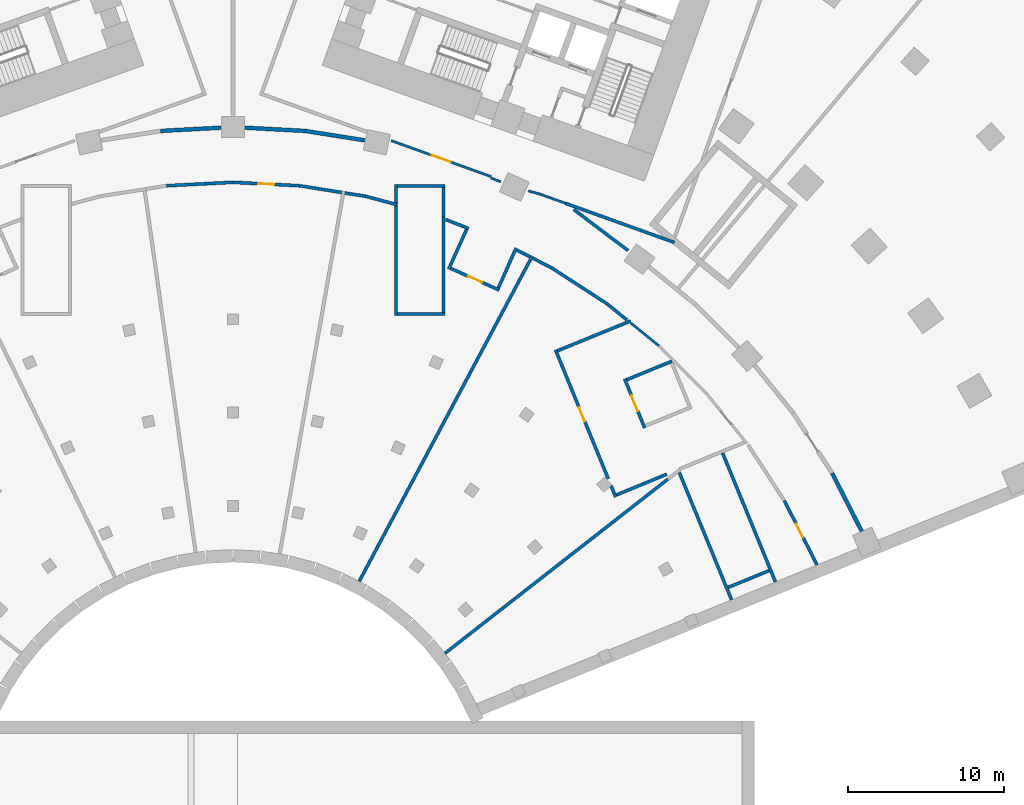
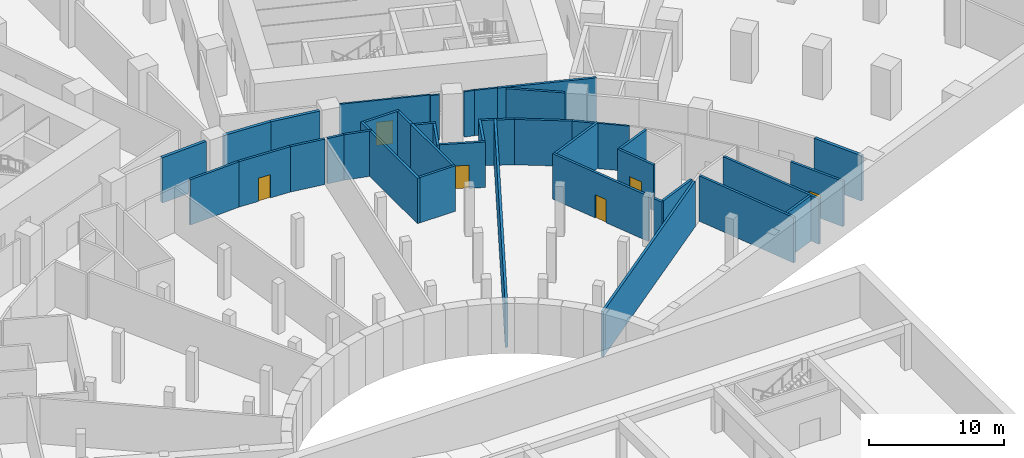
# One storey, part 10 of 21: 42 walls, 6 doors, 6 openings.
"""IFC4 building model written with IfcOpenShell, lengths in metres."""

from ifc_helpers import new_model, si_unit, direction, frame, frame_2d, origin, place, context, subcontext, project, spatial, rectangle, extrude, material, layer, layer_set, type_object, element, fill, save


model = new_model("IFC4")

# Units and contexts
model_context = context("Model", 3, precision=1e-05, world=origin(), true_north=direction((0.0, 1.0)))
body_context = subcontext(model_context, "Body", "Model", "MODEL_VIEW")
ifc_project = project(units=[si_unit("LENGTHUNIT", "METRE"), si_unit("AREAUNIT", "SQUARE_METRE"), si_unit("VOLUMEUNIT", "CUBIC_METRE"), si_unit("PLANEANGLEUNIT", "RADIAN"), si_unit("MASSUNIT", "GRAM", prefix="KILO")], contexts=[model_context])

# Site, building, storey
site_placement = place(None, origin())
site = spatial("IfcSite", under=ifc_project, at=site_placement, CompositionType="ELEMENT")
building_placement = place(site_placement, origin())
building = spatial("IfcBuilding", under=site, at=building_placement, Name="Stone Belt Terrace Tower", CompositionType="ELEMENT")
storey_placement = place(building_placement, frame((0.0, 0.0, -9.0)))
storey = spatial("IfcBuildingStorey", under=building, at=storey_placement, Name="B2", CompositionType="ELEMENT", Elevation=-9.0)

# Walls
ifc_material_1 = material(Name="Concrete B30", Category="concrete")
ifc_layer_1 = layer(ifc_material_1, 0.25)
ifc_layer_set_1 = layer_set([ifc_layer_1], Name="Compartment wall 250")
wall_type_1 = type_object("IfcWallType", Name="Compartment wall 250", PredefinedType="SOLIDWALL", material=ifc_layer_set_1)
for number, where, z_axis, x_axis, name in (
    (1, (-4.6435546875, 44.2001953125, 0.0), (0.0, 0.0, 1.0), (0.998555259213, 0.053734479607, 0.0), "Compartment wall B2 8"),
    (2, (0.76904296875, 44.40869140625, 0.0), (0.0, 0.0, 1.0), (0.998555259213, -0.053734479607, 0.0), "Compartment wall B2 10"),
):
    element("IfcWall", number, at=place(storey_placement, frame(where, z_axis=z_axis, x_axis=x_axis)), inside=storey, type_object=wall_type_1, Name=name, PredefinedType="SOLIDWALL", context=body_context, shape_type="SweptSolid", body=[
        extrude(rectangle(XDim=3.880126953125, YDim=0.25, at=frame_2d((1.93994140625, 0.0))), origin(), (0.0, 0.0, 1.0), 4.10009765625),
    ])
wall_1_placement = place(storey_placement, frame((4.656494140625, 44.198974609375, 0.0), z_axis=(0.0, 0.0, 1.0), x_axis=(0.987762453966, -0.155965812071, 0.0)))
element("IfcWall", 3, at=wall_1_placement, inside=storey, type_object=wall_type_1, Name="Compartment wall B2 11", PredefinedType="SOLIDWALL", context=body_context, shape_type="SweptSolid", body=[
    extrude(rectangle(XDim=3.87109375, YDim=0.25, at=frame_2d((1.935546875, 0.0))), origin(), (0.0, 0.0, 1.0), 4.10009765625),
])
wall_2_placement = place(storey_placement, frame((38.492919921875, 22.214111328125, 0.0), z_axis=(0.0, 0.0, 1.0), x_axis=(0.454112038916, -0.890944586443, 0.0)))
element("IfcWall", 4, at=wall_2_placement, inside=storey, type_object=wall_type_1, Name="Compartment wall B2 16", PredefinedType="SOLIDWALL", context=body_context, shape_type="SweptSolid", body=[
    extrude(rectangle(XDim=4.18212890625, YDim=0.25, at=frame_2d((2.091064453125, 0.0))), origin(), (0.0, 0.0, 1.0), 4.10009765625),
])
ifc_material_2 = material(Name="Blockwork wall, plastered both faces", Category="masonry")
ifc_layer_2 = layer(ifc_material_2, 0.199951171875)
ifc_layer_set_2 = layer_set([ifc_layer_2], Name="Podium demising wall 200")
wall_type_2 = type_object("IfcWallType", Name="Podium demising wall 200", PredefinedType="PARTITIONING", material=ifc_layer_set_2)
wall_3_placement = place(storey_placement, frame((-4.2744140625, 40.680419921875, 0.0), z_axis=(0.0, 0.0, 1.0), x_axis=(0.998684065889, 0.051284856818, 0.0)))
element("IfcWall", 5, at=wall_3_placement, inside=storey, type_object=wall_type_2, Name="Podium demising wall 200", PredefinedType="PARTITIONING", context=body_context, shape_type="SweptSolid", body=[
    extrude(rectangle(XDim=4.27490234375, YDim=0.199951171875, at=frame_2d((2.137451171875, 0.0))), origin(), (0.0, 0.0, 1.0), 4.10009765625),
])

# Wall, opening, door
wall_4_placement = place(storey_placement, frame((0.005126953125, 40.899658203125, 0.0), z_axis=(0.0, 0.0, 1.0), x_axis=(0.998684216084, -0.051281931956, 0.0)))
wall_4 = element("IfcWall", 6, at=wall_4_placement, inside=storey, type_object=wall_type_2, Name="Podium demising wall 200", PredefinedType="PARTITIONING", context=body_context, shape_type="SweptSolid", body=[
    extrude(rectangle(XDim=4.275146484375, YDim=0.199951171875, at=frame_2d((2.1376953125, 0.0))), origin(), (0.0, 0.0, 1.0), 4.10009765625),
])
opening_1_placement = place(wall_4_placement, frame((1.6376953125, 0.0, 0.0)))
opening_1 = element("IfcOpeningElement", 7, at=opening_1_placement, cuts=wall_4, Name="Opening B2-P06", PredefinedType="OPENING", context=body_context, shape_type="SweptSolid", body=[
    extrude(rectangle(XDim=1.0, YDim=2.10009765625, at=frame_2d((0.5, 1.050048828125))), frame((0.0, 0.10986328125, 0.0), z_axis=(0.0, -1.0, 0.0), x_axis=(1.0, 0.0, 0.0)), (0.0, 0.0, 1.0), 0.219970703125),
])
ifc_material_3 = material(Name="Steel framed door leaf", Category="steel")
door_type_1 = type_object("IfcDoorType", Name="Podium door single 1000", OperationType="SINGLE_SWING_LEFT", PredefinedType="DOOR", material=ifc_material_3)
door_1_placement = place(opening_1_placement, origin())
door_1 = element("IfcDoor", 8, at=door_1_placement, inside=storey, type_object=door_type_1, Name="Podium door single 1000", OperationType="SINGLE_SWING_RIGHT", OverallHeight=2.10009765625, OverallWidth=1.0, PredefinedType="DOOR", context=body_context, shape_type="SweptSolid", body=[
    extrude(rectangle(XDim=1.0, YDim=2.10009765625, at=frame_2d((0.5, 1.050048828125))), frame((0.0, 0.02490234375, 0.0), z_axis=(0.0, -1.0, 0.0), x_axis=(1.0, 0.0, 0.0)), (0.0, 0.0, 1.0), 0.050048828125),
])
fill(opening_1, door_1)

# Walls
wall_5_placement = place(storey_placement, frame((4.285400390625, 40.67919921875, 0.0), z_axis=(0.0, 0.0, 1.0), x_axis=(0.987498427073, -0.157628856904, 0.0)))
element("IfcWall", 9, at=wall_5_placement, inside=storey, type_object=wall_type_2, Name="Podium demising wall 200", PredefinedType="PARTITIONING", context=body_context, shape_type="SweptSolid", body=[
    extrude(rectangle(XDim=2.73828125, YDim=0.199951171875, at=frame_2d((1.369140625, 0.0))), origin(), (0.0, 0.0, 1.0), 4.10009765625),
])
wall_6_placement = place(storey_placement, frame((7.188720703125, 40.214599609375, 0.0), z_axis=(0.0, 0.0, 1.0), x_axis=(0.988034034408, -0.154236010232, 0.0)))
element("IfcWall", 10, at=wall_6_placement, inside=storey, type_object=wall_type_2, Name="Podium demising wall 200", PredefinedType="PARTITIONING", context=body_context, shape_type="SweptSolid", body=[
    extrude(rectangle(XDim=1.32177734375, YDim=0.199951171875, at=frame_2d((0.660888671875, 0.0))), origin(), (0.0, 0.0, 1.0), 4.10009765625),
])
wall_7_placement = place(storey_placement, frame((8.11083984375, 15.26171875, 0.0), z_axis=(0.0, 0.0, 1.0), x_axis=(0.469645648222, 0.882855007975, 0.0)))
element("IfcWall", 11, at=wall_7_placement, inside=storey, type_object=wall_type_2, Name="Podium demising wall 200", PredefinedType="PARTITIONING", context=body_context, shape_type="SweptSolid", body=[
    extrude(rectangle(XDim=23.667236328125, YDim=0.199951171875, at=frame_2d((11.83349609375, 0.0))), origin(), (0.0, 0.0, 1.0), 4.10009765625),
])
wall_8_placement = place(storey_placement, frame((8.505126953125, 40.008544921875, 0.0), z_axis=(0.0, 0.0, 1.0), x_axis=(0.9656774636, -0.259744174709, 0.0)))
element("IfcWall", 12, at=wall_8_placement, inside=storey, type_object=wall_type_2, Name="Podium demising wall 200", PredefinedType="PARTITIONING", context=body_context, shape_type="SweptSolid", body=[
    extrude(rectangle(XDim=2.138427734375, YDim=0.199951171875, at=frame_2d((1.0693359375, 0.0))), origin(), (0.0, 0.0, 1.0), 4.10009765625),
])
wall_9_placement = place(storey_placement, frame((13.665283203125, 38.50732421875, 0.0), z_axis=(0.0, 0.0, 1.0), x_axis=(0.932281836052, -0.361732744117, 0.0)))
element("IfcWall", 13, at=wall_9_placement, inside=storey, type_object=wall_type_2, Name="Podium demising wall 200", PredefinedType="PARTITIONING", context=body_context, shape_type="SweptSolid", body=[
    extrude(rectangle(XDim=1.58544921875, YDim=0.199951171875, at=frame_2d((0.792724609375, 0.0))), origin(), (0.0, 0.0, 1.0), 4.10009765625),
])
wall_10_placement = place(storey_placement, frame((13.61962890625, 10.639892578125, 0.0), z_axis=(0.0, 0.0, 1.0), x_axis=(0.787967745866, 0.61571651876, 0.0)))
element("IfcWall", 14, at=wall_10_placement, inside=storey, type_object=wall_type_2, Name="Podium demising wall 200", PredefinedType="PARTITIONING", context=body_context, shape_type="SweptSolid", body=[
    extrude(rectangle(XDim=18.171875, YDim=0.199951171875, at=frame_2d((9.0859375, 0.0))), origin(), (0.0, 0.0, 1.0), 4.10009765625),
])
wall_11_placement = place(storey_placement, frame((13.85888671875, 35.31884765625, 0.0), z_axis=(0.0, 0.0, 1.0), x_axis=(0.409840098856, 0.912157384101, 0.0)))
element("IfcWall", 15, at=wall_11_placement, inside=storey, type_object=wall_type_2, Name="Podium demising wall 200", PredefinedType="PARTITIONING", context=body_context, shape_type="SweptSolid", body=[
    extrude(rectangle(XDim=2.806396484375, YDim=0.199951171875, at=frame_2d((1.4033203125, 0.0))), origin(), (0.0, 0.0, 1.0), 4.10009765625),
])

# Wall, opening, door
wall_12_placement = place(storey_placement, frame((13.9912109375, 35.369140625, 0.0), z_axis=(0.0, 0.0, 1.0), x_axis=(0.912979175581, -0.408006157986, 0.0)))
wall_12 = element("IfcWall", 16, at=wall_12_placement, inside=storey, type_object=wall_type_2, Name="Podium demising wall 200", PredefinedType="PARTITIONING", context=body_context, shape_type="SweptSolid", body=[
    extrude(rectangle(XDim=3.406494140625, YDim=0.199951171875, at=frame_2d((1.703125, 0.0))), origin(), (0.0, 0.0, 1.0), 4.10009765625),
])
opening_2_placement = place(wall_12_placement, frame((1.203125, 0.0, 0.0)))
opening_2 = element("IfcOpeningElement", 17, at=opening_2_placement, cuts=wall_12, Name="Opening B2-P07", PredefinedType="OPENING", context=body_context, shape_type="SweptSolid", body=[
    extrude(rectangle(XDim=1.0, YDim=2.10009765625, at=frame_2d((0.5, 1.050048828125))), frame((0.0, 0.10986328125, 0.0), z_axis=(0.0, -1.0, 0.0), x_axis=(1.0, 0.0, 0.0)), (0.0, 0.0, 1.0), 0.219970703125),
])
door_2_placement = place(opening_2_placement, origin())
door_2 = element("IfcDoor", 18, at=door_2_placement, inside=storey, type_object=door_type_1, Name="Podium door single 1000", OperationType="SINGLE_SWING_LEFT", OverallHeight=2.10009765625, OverallWidth=1.0, PredefinedType="DOOR", context=body_context, shape_type="SweptSolid", body=[
    extrude(rectangle(XDim=1.0, YDim=2.10009765625, at=frame_2d((0.5, 1.050048828125))), frame((0.0, 0.02490234375, 0.0), z_axis=(0.0, -1.0, 0.0), x_axis=(1.0, 0.0, 0.0)), (0.0, 0.0, 1.0), 0.050048828125),
])
fill(opening_2, door_2)

# Walls
wall_13_placement = place(storey_placement, frame((17.050537109375, 34.111328125, 0.0), z_axis=(0.0, 0.0, 1.0), x_axis=(0.405509949998, 0.914090630328, 0.0)))
element("IfcWall", 19, at=wall_13_placement, inside=storey, type_object=wall_type_2, Name="Podium demising wall 200", PredefinedType="PARTITIONING", context=body_context, shape_type="SweptSolid", body=[
    extrude(rectangle(XDim=2.8115234375, YDim=0.199951171875, at=frame_2d((1.40576171875, 0.0))), origin(), (0.0, 0.0, 1.0), 4.10009765625),
])
wall_14_placement = place(storey_placement, frame((18.239501953125, 36.544921875, 0.0), z_axis=(0.0, 0.0, 1.0), x_axis=(0.892628099202, -0.450793829279, 0.0)))
element("IfcWall", 20, at=wall_14_placement, inside=storey, type_object=wall_type_2, Name="Podium demising wall 200", PredefinedType="PARTITIONING", context=body_context, shape_type="SweptSolid", body=[
    extrude(rectangle(XDim=0.95361328125, YDim=0.199951171875, at=frame_2d((0.476806640625, 0.0))), origin(), (0.0, 0.0, 1.0), 4.10009765625),
])
wall_15_placement = place(storey_placement, frame((19.27001953125, 36.019287109375, 0.0), z_axis=(0.0, 0.0, 1.0), x_axis=(0.891594298536, -0.452835076842, 0.0)))
element("IfcWall", 21, at=wall_15_placement, inside=storey, type_object=wall_type_2, Name="Podium demising wall 200", PredefinedType="PARTITIONING", context=body_context, shape_type="SweptSolid", body=[
    extrude(rectangle(XDim=1.318115234375, YDim=0.199951171875, at=frame_2d((0.6591796875, 0.0))), origin(), (0.0, 0.0, 1.0), 4.10009765625),
])
wall_16_placement = place(storey_placement, frame((20.454345703125, 35.4169921875, 0.0), z_axis=(0.0, 0.0, 1.0), x_axis=(0.838840597243, -0.544377123341, 0.0)))
element("IfcWall", 22, at=wall_16_placement, inside=storey, type_object=wall_type_2, Name="Podium demising wall 200", PredefinedType="PARTITIONING", context=body_context, shape_type="SweptSolid", body=[
    extrude(rectangle(XDim=4.26904296875, YDim=0.199951171875, at=frame_2d((2.134521484375, 0.0))), origin(), (0.0, 0.0, 1.0), 4.10009765625),
])

# Wall, opening, door
wall_17_placement = place(storey_placement, frame((20.72216796875, 30.132568359375, 0.0), z_axis=(0.0, 0.0, 1.0), x_axis=(0.378784696541, -0.925484820873, 0.0)))
wall_17 = element("IfcWall", 23, at=wall_17_placement, inside=storey, type_object=wall_type_2, Name="Podium demising wall 200", PredefinedType="PARTITIONING", context=body_context, shape_type="SweptSolid", body=[
    extrude(rectangle(XDim=8.951904296875, YDim=0.199951171875, at=frame_2d((4.47607421875, 0.0))), origin(), (0.0, 0.0, 1.0), 4.10009765625),
])
opening_3_placement = place(wall_17_placement, frame((3.975830078125, 0.0, 0.0)))
opening_3 = element("IfcOpeningElement", 24, at=opening_3_placement, cuts=wall_17, Name="Opening B2-P08", PredefinedType="OPENING", context=body_context, shape_type="SweptSolid", body=[
    extrude(rectangle(XDim=1.0, YDim=2.10009765625, at=frame_2d((0.5, 1.050048828125))), frame((0.0, 0.10986328125, 0.0), z_axis=(0.0, -1.0, 0.0), x_axis=(1.0, 0.0, 0.0)), (0.0, 0.0, 1.0), 0.219970703125),
])
door_3_placement = place(opening_3_placement, origin())
door_3 = element("IfcDoor", 25, at=door_3_placement, inside=storey, type_object=door_type_1, Name="Podium door single 1000", OperationType="SINGLE_SWING_RIGHT", OverallHeight=2.10009765625, OverallWidth=1.0, PredefinedType="DOOR", context=body_context, shape_type="SweptSolid", body=[
    extrude(rectangle(XDim=1.0, YDim=2.10009765625, at=frame_2d((0.5, 1.050048828125))), frame((0.0, 0.02490234375, 0.0), z_axis=(0.0, -1.0, 0.0), x_axis=(1.0, 0.0, 0.0)), (0.0, 0.0, 1.0), 0.050048828125),
])
fill(opening_3, door_3)

# Walls
wall_18_placement = place(storey_placement, frame((24.29736328125, 21.397216796875, 0.0), z_axis=(0.0, 0.0, 1.0), x_axis=(0.378843570636, -0.925460722553, 0.0)))
element("IfcWall", 26, at=wall_18_placement, inside=storey, type_object=wall_type_2, Name="Podium demising wall 200", PredefinedType="PARTITIONING", context=body_context, shape_type="SweptSolid", body=[
    extrude(rectangle(XDim=0.766845703125, YDim=0.199951171875, at=frame_2d((0.38330078125, 0.0))), origin(), (0.0, 0.0, 1.0), 4.10009765625),
])
wall_19_placement = place(storey_placement, frame((20.8525390625, 30.077880859375, 0.0), z_axis=(0.0, 0.0, 1.0), x_axis=(0.925859680593, 0.377867505684, 0.0)))
element("IfcWall", 27, at=wall_19_placement, inside=storey, type_object=wall_type_2, Name="Podium demising wall 200", PredefinedType="PARTITIONING", context=body_context, shape_type="SweptSolid", body=[
    extrude(rectangle(XDim=5.068603515625, YDim=0.199951171875, at=frame_2d((2.5341796875, 0.0))), origin(), (0.0, 0.0, 1.0), 4.10009765625),
])
wall_20_placement = place(storey_placement, frame((21.360107421875, 39.550048828125, 0.0), z_axis=(0.0, 0.0, 1.0), x_axis=(0.941207778133, -0.337828237989, 0.0)))
element("IfcWall", 28, at=wall_20_placement, inside=storey, type_object=wall_type_2, Name="Podium demising wall 200", PredefinedType="PARTITIONING", context=body_context, shape_type="SweptSolid", body=[
    extrude(rectangle(XDim=7.44140625, YDim=0.199951171875, at=frame_2d((3.720703125, 0.0))), origin(), (0.0, 0.0, 1.0), 4.10009765625),
])
wall_21_placement = place(storey_placement, frame((21.900634765625, 39.14892578125, 0.0), z_axis=(0.0, 0.0, 1.0), x_axis=(0.79776565963, -0.602967621283, 0.0)))
element("IfcWall", 29, at=wall_21_placement, inside=storey, type_object=wall_type_2, Name="Podium demising wall 200", PredefinedType="PARTITIONING", context=body_context, shape_type="SweptSolid", body=[
    extrude(rectangle(XDim=4.364013671875, YDim=0.199951171875, at=frame_2d((2.18212890625, 0.0))), origin(), (0.0, 0.0, 1.0), 4.10009765625),
])
wall_22_placement = place(storey_placement, frame((24.044189453125, 33.086669921875, 0.0), z_axis=(0.0, 0.0, 1.0), x_axis=(0.775381454022, -0.631493151791, 0.0)))
element("IfcWall", 30, at=wall_22_placement, inside=storey, type_object=wall_type_2, Name="Podium demising wall 200", PredefinedType="PARTITIONING", context=body_context, shape_type="SweptSolid", body=[
    extrude(rectangle(XDim=1.63232421875, YDim=0.199951171875, at=frame_2d((0.816162109375, 0.0))), origin(), (0.0, 0.0, 1.0), 4.10009765625),
])
wall_23_placement = place(storey_placement, frame((24.642578125, 20.818115234375, 0.0), z_axis=(0.0, 0.0, 1.0), x_axis=(0.924675204157, 0.380756834236, 0.0)))
element("IfcWall", 31, at=wall_23_placement, inside=storey, type_object=wall_type_2, Name="Podium demising wall 200", PredefinedType="PARTITIONING", context=body_context, shape_type="SweptSolid", body=[
    extrude(rectangle(XDim=3.493896484375, YDim=0.199951171875, at=frame_2d((1.7470703125, 0.0))), origin(), (0.0, 0.0, 1.0), 4.10009765625),
])

# Wall, opening, door
wall_24_placement = place(storey_placement, frame((35.426025390625, 20.438232421875, 0.0), z_axis=(0.0, 0.0, 1.0), x_axis=(0.453694492296, -0.89115728559, 0.0)))
wall_24 = element("IfcWall", 32, at=wall_24_placement, inside=storey, type_object=wall_type_2, Name="Podium demising wall 200", PredefinedType="PARTITIONING", context=body_context, shape_type="SweptSolid", body=[
    extrude(rectangle(XDim=4.61767578125, YDim=0.199951171875, at=frame_2d((2.308837890625, 0.0))), origin(), (0.0, 0.0, 1.0), 4.10009765625),
])
opening_4_placement = place(wall_24_placement, frame((1.6494140625, 0.0, 0.0)))
opening_4 = element("IfcOpeningElement", 33, at=opening_4_placement, cuts=wall_24, Name="Opening B2-P09", PredefinedType="OPENING", context=body_context, shape_type="SweptSolid", body=[
    extrude(rectangle(XDim=1.0, YDim=2.10009765625, at=frame_2d((0.5, 1.050048828125))), frame((0.0, 0.10986328125, 0.0), z_axis=(0.0, -1.0, 0.0), x_axis=(1.0, 0.0, 0.0)), (0.0, 0.0, 1.0), 0.219970703125),
])
door_4_placement = place(opening_4_placement, origin())
door_4 = element("IfcDoor", 34, at=door_4_placement, inside=storey, type_object=door_type_1, Name="Podium door single 1000", OperationType="SINGLE_SWING_LEFT", OverallHeight=2.10009765625, OverallWidth=1.0, PredefinedType="DOOR", context=body_context, shape_type="SweptSolid", body=[
    extrude(rectangle(XDim=1.0, YDim=2.10009765625, at=frame_2d((0.5, 1.050048828125))), frame((0.0, 0.02490234375, 0.0), z_axis=(0.0, -1.0, 0.0), x_axis=(1.0, 0.0, 0.0)), (0.0, 0.0, 1.0), 0.050048828125),
])
fill(opening_4, door_4)

ifc_material_4 = material(Name="Reinforced blockwork wall, plastered both faces", Category="masonry")
ifc_layer_3 = layer(ifc_material_4, 0.199951171875)
ifc_layer_set_3 = layer_set([ifc_layer_3], Name="Podium lift shaft wall 200")
wall_type_3 = type_object("IfcWallType", Name="Podium lift shaft wall 200", PredefinedType="SOLIDWALL", material=ifc_layer_set_3)
wall_25_placement = place(storey_placement, frame((25.162109375, 28.272705078125, 0.0), z_axis=(0.0, 0.0, 1.0), x_axis=(0.378367045219, -0.925655648226, 0.0)))
wall_25 = element("IfcWall", 35, at=wall_25_placement, inside=storey, type_object=wall_type_3, Name="Podium lift shaft wall 200", PredefinedType="SOLIDWALL", context=body_context, shape_type="SweptSolid", body=[
    extrude(rectangle(XDim=3.39794921875, YDim=0.199951171875, at=frame_2d((1.698974609375, 0.0))), origin(), (0.0, 0.0, 1.0), 4.10009765625),
])
opening_5_placement = place(wall_25_placement, frame((1.14892578125, 0.0, 0.0)))
opening_5 = element("IfcOpeningElement", 36, at=opening_5_placement, cuts=wall_25, Name="Opening B2-P02", PredefinedType="OPENING", context=body_context, shape_type="SweptSolid", body=[
    extrude(rectangle(XDim=1.10009765625, YDim=2.10009765625, at=frame_2d((0.550048828125, 1.050048828125))), frame((0.0, 0.10986328125, 0.0), z_axis=(0.0, -1.0, 0.0), x_axis=(1.0, 0.0, 0.0)), (0.0, 0.0, 1.0), 0.219970703125),
])
ifc_material_5 = material(Name="Stainless steel sliding landing door leaf", Category="steel")
door_type_2 = type_object("IfcDoorType", Name="Podium landing door 1100", OperationType="SLIDING_TO_LEFT", PredefinedType="DOOR", material=ifc_material_5)
door_5_placement = place(opening_5_placement, origin())
door_5 = element("IfcDoor", 37, at=door_5_placement, inside=storey, type_object=door_type_2, Name="Podium landing door 1100", OperationType="SLIDING_TO_LEFT", OverallHeight=2.10009765625, OverallWidth=1.10009765625, PredefinedType="DOOR", context=body_context, shape_type="SweptSolid", body=[
    extrude(rectangle(XDim=1.10009765625, YDim=2.10009765625, at=frame_2d((0.550048828125, 1.050048828125))), frame((0.0, 0.02490234375, 0.0), z_axis=(0.0, -1.0, 0.0), x_axis=(1.0, 0.0, 0.0)), (0.0, 0.0, 1.0), 0.050048828125),
])
fill(opening_5, door_5)

# Wall
wall_26_placement = place(storey_placement, frame((25.29248046875, 28.2177734375, 0.0), z_axis=(0.0, 0.0, 1.0), x_axis=(0.925658526615, 0.37836000331, 0.0)))
element("IfcWall", 38, at=wall_26_placement, inside=storey, type_object=wall_type_3, Name="Podium lift shaft wall 200", PredefinedType="SOLIDWALL", context=body_context, shape_type="SweptSolid", body=[
    extrude(rectangle(XDim=3.135986328125, YDim=0.199951171875, at=frame_2d((1.56787109375, 0.0))), origin(), (0.0, 0.0, 1.0), 4.10009765625),
])

# Wall, opening, door
ifc_material_6 = material(Name="Gypsum board on steel stud partition", Category="steel")
ifc_layer_4 = layer(ifc_material_6, 0.14990234375)
ifc_layer_set_4 = layer_set([ifc_layer_4], Name="Podium partition 150")
wall_type_4 = type_object("IfcWallType", Name="Podium partition 150", PredefinedType="PARTITIONING", material=ifc_layer_set_4)
wall_27_placement = place(storey_placement, frame((10.16455078125, 43.579345703125, 0.0), z_axis=(0.0, 0.0, 1.0), x_axis=(0.940825425853, -0.338891602238, 0.0)))
wall_27 = element("IfcWall", 39, at=wall_27_placement, inside=storey, type_object=wall_type_4, Name="Podium partition 150", PredefinedType="PARTITIONING", context=body_context, shape_type="SweptSolid", body=[
    extrude(rectangle(XDim=6.830078125, YDim=0.14990234375, at=frame_2d((3.4150390625, 0.0))), origin(), (0.0, 0.0, 1.0), 4.10009765625),
])
opening_6_placement = place(wall_27_placement, frame((2.76513671875, 0.0, 0.0)))
opening_6 = element("IfcOpeningElement", 40, at=opening_6_placement, cuts=wall_27, Name="Opening B2-P16", PredefinedType="OPENING", context=body_context, shape_type="SweptSolid", body=[
    extrude(rectangle(XDim=1.300048828125, YDim=2.10009765625, at=frame_2d((0.64990234375, 1.050048828125))), frame((0.0, 0.0849609375, 0.0), z_axis=(0.0, -1.0, 0.0), x_axis=(1.0, 0.0, 0.0)), (0.0, 0.0, 1.0), 0.169921875),
])
ifc_material_7 = material(Name="Steel framed fire door leaf", Category="steel")
door_type_3 = type_object("IfcDoorType", Name="Fire door 1300 x 2100 EI 60", OperationType="SINGLE_SWING_LEFT", PredefinedType="DOOR", material=ifc_material_7)
door_6_placement = place(opening_6_placement, origin())
door_6 = element("IfcDoor", 41, at=door_6_placement, inside=storey, type_object=door_type_3, Name="Fire door 1300 x 2100 EI 60", OperationType="SINGLE_SWING_LEFT", OverallHeight=2.10009765625, OverallWidth=1.300048828125, PredefinedType="DOOR", context=body_context, shape_type="SweptSolid", body=[
    extrude(rectangle(XDim=1.300048828125, YDim=2.10009765625, at=frame_2d((0.64990234375, 1.050048828125))), frame((0.0, 0.02490234375, 0.0), z_axis=(0.0, -1.0, 0.0), x_axis=(1.0, 0.0, 0.0)), (0.0, 0.0, 1.0), 0.050048828125),
])
fill(opening_6, door_6)

# Walls
wall_28_placement = place(storey_placement, frame((16.56005859375, 41.18310546875, 0.0), z_axis=(0.0, 0.0, 1.0), x_axis=(0.933644257983, -0.358201618556, 0.0)))
element("IfcWall", 42, at=wall_28_placement, inside=storey, type_object=wall_type_4, Name="Podium partition 150", PredefinedType="PARTITIONING", context=body_context, shape_type="SweptSolid", body=[
    extrude(rectangle(XDim=0.694580078125, YDim=0.14990234375, at=frame_2d((0.34716796875, 0.0))), origin(), (0.0, 0.0, 1.0), 4.10009765625),
])
wall_29_placement = place(storey_placement, frame((18.972900390625, 40.35107421875, 0.0), z_axis=(0.0, 0.0, 1.0), x_axis=(0.963222573391, -0.268704808499, 0.0)))
element("IfcWall", 43, at=wall_29_placement, inside=storey, type_object=wall_type_4, Name="Podium partition 150", PredefinedType="PARTITIONING", context=body_context, shape_type="SweptSolid", body=[
    extrude(rectangle(XDim=0.783203125, YDim=0.14990234375, at=frame_2d((0.3916015625, 0.0))), origin(), (0.0, 0.0, 1.0), 4.10009765625),
])
wall_30_placement = place(storey_placement, frame((19.732666015625, 40.13916015625, 0.0), z_axis=(0.0, 0.0, 1.0), x_axis=(0.940963000271, -0.338509426932, 0.0)))
element("IfcWall", 44, at=wall_30_placement, inside=storey, type_object=wall_type_4, Name="Podium partition 150", PredefinedType="PARTITIONING", context=body_context, shape_type="SweptSolid", body=[
    extrude(rectangle(XDim=1.728759765625, YDim=0.14990234375, at=frame_2d((0.8642578125, 0.0))), origin(), (0.0, 0.0, 1.0), 4.10009765625),
])
wall_31_placement = place(storey_placement, frame((25.5546875, 31.86669921875, 0.0), z_axis=(0.0, 0.0, 1.0), x_axis=(0.775714279939, -0.631084270046, 0.0)))
element("IfcWall", 45, at=wall_31_placement, inside=storey, type_object=wall_type_4, Name="Podium partition 150", PredefinedType="PARTITIONING", context=body_context, shape_type="SweptSolid", body=[
    extrude(rectangle(XDim=2.336181640625, YDim=0.14990234375, at=frame_2d((1.16796875, 0.0))), origin(), (0.0, 0.0, 1.0), 4.10009765625),
])
ifc_layer_5 = layer(ifc_material_1, 0.199951171875)
ifc_layer_set_5 = layer_set([ifc_layer_5], Name="Podium stair and shaft wall 200")
wall_type_5 = type_object("IfcWallType", Name="Podium stair and shaft wall 200", PredefinedType="SOLIDWALL", material=ifc_layer_set_5)
wall_32_placement = place(storey_placement, frame((10.469970703125, 32.340087890625, 0.0), z_axis=(0.0, 0.0, 1.0), x_axis=(0.0, 1.0, 0.0)))
element("IfcWall", 46, at=wall_32_placement, inside=storey, type_object=wall_type_5, Name="Podium stair and shaft wall 200", PredefinedType="SOLIDWALL", context=body_context, shape_type="SweptSolid", body=[
    extrude(rectangle(XDim=7.27001953125, YDim=0.199951171875, at=frame_2d((3.635009765625, 0.0))), origin(), (0.0, 0.0, 1.0), 4.10009765625),
])
wall_33_placement = place(storey_placement, frame((10.570068359375, 32.43994140625, 0.0), z_axis=(0.0, 0.0, 1.0), x_axis=(1.0, 0.0, 0.0)))
element("IfcWall", 47, at=wall_33_placement, inside=storey, type_object=wall_type_5, Name="Podium stair and shaft wall 200", PredefinedType="SOLIDWALL", context=body_context, shape_type="SweptSolid", body=[
    extrude(rectangle(XDim=3.059814453125, YDim=0.199951171875, at=frame_2d((1.52978515625, 0.0))), origin(), (0.0, 0.0, 1.0), 4.10009765625),
])
wall_34_placement = place(storey_placement, frame((10.469970703125, 39.610107421875, 0.0), z_axis=(0.0, 0.0, 1.0), x_axis=(0.0, 1.0, 0.0)))
element("IfcWall", 48, at=wall_34_placement, inside=storey, type_object=wall_type_5, Name="Podium stair and shaft wall 200", PredefinedType="SOLIDWALL", context=body_context, shape_type="SweptSolid", body=[
    extrude(rectangle(XDim=1.14990234375, YDim=0.199951171875, at=frame_2d((0.574951171875, 0.0))), origin(), (0.0, 0.0, 1.0), 4.10009765625),
])
wall_35_placement = place(storey_placement, frame((10.570068359375, 40.659912109375, 0.0), z_axis=(0.0, 0.0, 1.0), x_axis=(1.0, 0.0, 0.0)))
element("IfcWall", 49, at=wall_35_placement, inside=storey, type_object=wall_type_5, Name="Podium stair and shaft wall 200", PredefinedType="SOLIDWALL", context=body_context, shape_type="SweptSolid", body=[
    extrude(rectangle(XDim=3.059814453125, YDim=0.199951171875, at=frame_2d((1.52978515625, 0.0))), origin(), (0.0, 0.0, 1.0), 4.10009765625),
])
wall_36_placement = place(storey_placement, frame((13.530029296875, 32.5400390625, 0.0), z_axis=(0.0, 0.0, 1.0), x_axis=(0.0, 1.0, 0.0)))
element("IfcWall", 50, at=wall_36_placement, inside=storey, type_object=wall_type_5, Name="Podium stair and shaft wall 200", PredefinedType="SOLIDWALL", context=body_context, shape_type="SweptSolid", body=[
    extrude(rectangle(XDim=6.127197265625, YDim=0.199951171875, at=frame_2d((3.0634765625, 0.0))), origin(), (0.0, 0.0, 1.0), 4.10009765625),
])
wall_37_placement = place(storey_placement, frame((13.530029296875, 38.66796875, 0.0), z_axis=(0.0, 0.0, 1.0), x_axis=(0.0, 1.0, 0.0)))
element("IfcWall", 51, at=wall_37_placement, inside=storey, type_object=wall_type_5, Name="Podium stair and shaft wall 200", PredefinedType="SOLIDWALL", context=body_context, shape_type="SweptSolid", body=[
    extrude(rectangle(XDim=1.89208984375, YDim=0.199951171875, at=frame_2d((0.946044921875, 0.0))), origin(), (0.0, 0.0, 1.0), 4.10009765625),
])
wall_38_placement = place(storey_placement, frame((28.68017578125, 22.248046875, 0.0), z_axis=(0.0, 0.0, 1.0), x_axis=(0.379621882017, -0.9251417333, 0.0)))
element("IfcWall", 52, at=wall_38_placement, inside=storey, type_object=wall_type_5, Name="Podium stair and shaft wall 200", PredefinedType="SOLIDWALL", context=body_context, shape_type="SweptSolid", body=[
    extrude(rectangle(XDim=8.831298828125, YDim=0.199951171875, at=frame_2d((4.41552734375, 0.0))), origin(), (0.0, 0.0, 1.0), 4.10009765625),
])
wall_39_placement = place(storey_placement, frame((31.4580078125, 23.507568359375, 0.0), z_axis=(0.0, 0.0, 1.0), x_axis=(0.379340202358, -0.925257267399, 0.0)))
element("IfcWall", 53, at=wall_39_placement, inside=storey, type_object=wall_type_5, Name="Podium stair and shaft wall 200", PredefinedType="SOLIDWALL", context=body_context, shape_type="SweptSolid", body=[
    extrude(rectangle(XDim=8.94921875, YDim=0.199951171875, at=frame_2d((4.474609375, 0.0))), origin(), (0.0, 0.0, 1.0), 4.10009765625),
])
wall_40_placement = place(storey_placement, frame((31.8125, 14.877685546875, 0.0), z_axis=(0.0, 0.0, 1.0), x_axis=(0.925976847494, 0.377580293322, 0.0)))
element("IfcWall", 54, at=wall_40_placement, inside=storey, type_object=wall_type_5, Name="Podium stair and shaft wall 200", PredefinedType="SOLIDWALL", context=body_context, shape_type="SweptSolid", body=[
    extrude(rectangle(XDim=2.845703125, YDim=0.199951171875, at=frame_2d((1.4228515625, 0.0))), origin(), (0.0, 0.0, 1.0), 4.10009765625),
])

save(model, "model.ifc")
